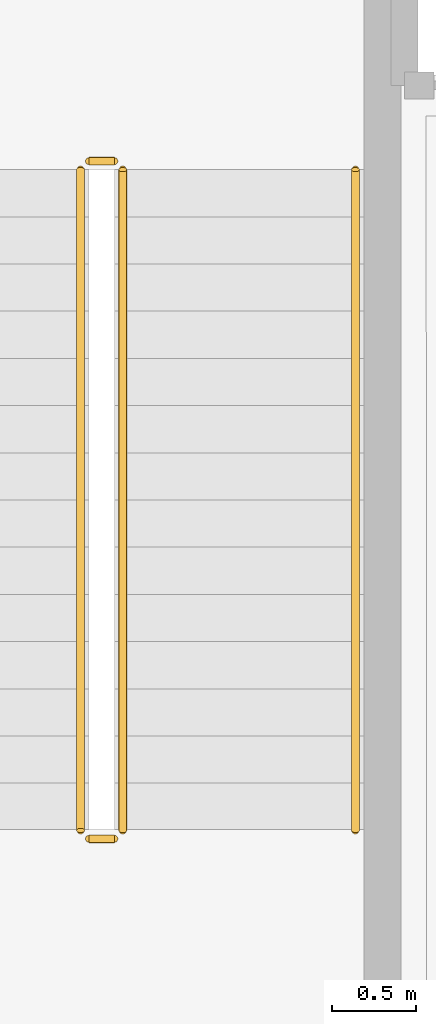
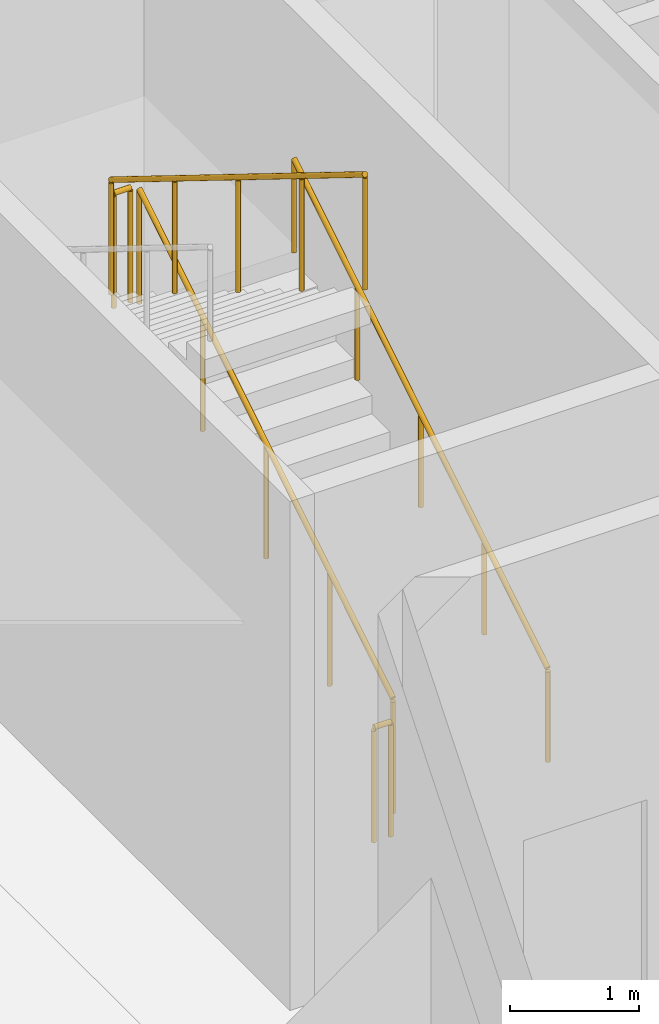
# One storey, part 37 of 39: 5 railings.
"""IFC4 building model written with IfcOpenShell, lengths in metres."""

from ifc_helpers import new_model, si_unit, direction, frame, origin, origin_2d, place, context, subcontext, project, spatial, circle, extrude, material, type_object, element, save


model = new_model("IFC4")

# Units and contexts
model_context = context("Model", 3, precision=1e-05, world=origin(), true_north=direction((0.0, 1.0)))
body_context = subcontext(model_context, "Body", "Model", "MODEL_VIEW")
ifc_project = project(units=[si_unit("LENGTHUNIT", "METRE"), si_unit("AREAUNIT", "SQUARE_METRE"), si_unit("VOLUMEUNIT", "CUBIC_METRE"), si_unit("PLANEANGLEUNIT", "RADIAN"), si_unit("MASSUNIT", "GRAM", prefix="KILO")], contexts=[model_context])

# Site, building, storey
site_placement = place(None, origin())
site = spatial("IfcSite", under=ifc_project, at=site_placement, CompositionType="ELEMENT")
building_placement = place(site_placement, origin())
building = spatial("IfcBuilding", under=site, at=building_placement, Name="Valdorenza Pilgrim Sanctuary Tower", CompositionType="ELEMENT")
storey_placement = place(building_placement, frame((0.0, 0.0, 15.60009765625)))
storey = spatial("IfcBuildingStorey", under=building, at=storey_placement, Name="L03", CompositionType="ELEMENT", Elevation=15.60009765625)

# Railings
ifc_material_1 = material(Name="Stainless steel Grade 316", Category="steel")
railing_type_1 = type_object("IfcRailingType", Name="RLG-GRD-1120", PredefinedType="GUARDRAIL", material=ifc_material_1)
railing_1_placement = place(storey_placement, frame((18.679931640625, 2.3798828125, 0.17333984375)))
element("IfcRailing", 1, at=railing_1_placement, inside=storey, type_object=railing_type_1, Name="L03 ST-B1 stair guard 1", PredefinedType="GUARDRAIL", context=body_context, shape_type="SweptSolid", body=[
    extrude(circle(Radius=0.02392578125, at=origin_2d()), frame((0.0, 0.0, 1.076171875), z_axis=(0.0, 0.850289973577, 0.526314507528), x_axis=(-1.0, 0.0, 0.0)), (0.0, 0.0, 1.0), 4.6103515625),
    extrude(circle(Radius=0.02099609375, at=origin_2d()), origin(), (0.0, 0.0, 1.0), 1.052001953125),
    extrude(circle(Radius=0.02099609375, at=origin_2d()), frame((0.0, 0.97998046875, 0.606689453125)), (0.0, 0.0, 1.0), 1.052001953125),
    extrude(circle(Radius=0.02099609375, at=origin_2d()), frame((0.0, 1.9599609375, 1.21337890625)), (0.0, 0.0, 1.0), 1.052001953125),
    extrude(circle(Radius=0.02099609375, at=origin_2d()), frame((0.0, 2.940185546875, 1.81982421875)), (0.0, 0.0, 1.0), 1.052001953125),
    extrude(circle(Radius=0.02099609375, at=origin_2d()), frame((0.0, 3.920166015625, 2.426513671875)), (0.0, 0.0, 1.0), 1.052001953125),
])
railing_2_placement = place(storey_placement, frame((18.6298828125, 6.35009765625, 2.599853515625)))
element("IfcRailing", 2, at=railing_2_placement, inside=storey, type_object=railing_type_1, Name="L03 ST-B1 stair guard 2", PredefinedType="GUARDRAIL", context=body_context, shape_type="SweptSolid", body=[
    extrude(circle(Radius=0.02392578125, at=origin_2d()), frame((0.0, 0.0, 1.076171875), z_axis=(-1.0, 0.0, 0.0), x_axis=(0.0, -1.0, 0.0)), (0.0, 0.0, 1.0), 0.14990234375),
    extrude(circle(Radius=0.02099609375, at=origin_2d()), origin(), (0.0, 0.0, 1.0), 1.052001953125),
    extrude(circle(Radius=0.02099609375, at=origin_2d()), frame((-0.14990234375, 0.0, 0.0)), (0.0, 0.0, 1.0), 1.052001953125),
])
railing_3_placement = place(storey_placement, frame((18.429931640625, 6.300048828125, 2.773193359375)))
element("IfcRailing", 3, at=railing_3_placement, inside=storey, type_object=railing_type_1, Name="L03 ST-B1 stair guard 3", PredefinedType="GUARDRAIL", context=body_context, shape_type="SweptSolid", body=[
    extrude(circle(Radius=0.02392578125, at=origin_2d()), frame((0.0, 0.0, 1.076171875), z_axis=(0.0, -0.850266275192, 0.526352791643), x_axis=(1.0, 0.0, 0.0)), (0.0, 0.0, 1.0), 4.610595703125),
    extrude(circle(Radius=0.02099609375, at=origin_2d()), origin(), (0.0, 0.0, 1.0), 1.052001953125),
    extrude(circle(Radius=0.02099609375, at=origin_2d()), frame((0.0, -0.97998046875, 0.606689453125)), (0.0, 0.0, 1.0), 1.052001953125),
    extrude(circle(Radius=0.02099609375, at=origin_2d()), frame((0.0, -1.9599609375, 1.21337890625)), (0.0, 0.0, 1.0), 1.052001953125),
    extrude(circle(Radius=0.02099609375, at=origin_2d()), frame((0.0, -2.940185546875, 1.820068359375)), (0.0, 0.0, 1.0), 1.052001953125),
    extrude(circle(Radius=0.02099609375, at=origin_2d()), frame((0.0, -3.920166015625, 2.4267578125)), (0.0, 0.0, 1.0), 1.052001953125),
])
railing_4_placement = place(storey_placement, frame((18.6298828125, 2.330078125, 0.0)))
element("IfcRailing", 4, at=railing_4_placement, inside=storey, type_object=railing_type_1, Name="L03 ST-B1 stair guard 4", PredefinedType="GUARDRAIL", context=body_context, shape_type="SweptSolid", body=[
    extrude(circle(Radius=0.02392578125, at=origin_2d()), frame((0.0, 0.0, 1.076171875), z_axis=(-1.0, 0.0, 0.0), x_axis=(0.0, -1.0, 0.0)), (0.0, 0.0, 1.0), 0.14990234375),
    extrude(circle(Radius=0.02099609375, at=origin_2d()), origin(), (0.0, 0.0, 1.0), 1.052001953125),
    extrude(circle(Radius=0.02099609375, at=origin_2d()), frame((-0.14990234375, 0.0, 0.0)), (0.0, 0.0, 1.0), 1.052001953125),
])
ifc_material_2 = material(Name="Brushed stainless steel Grade 316", Category="steel")
railing_type_2 = type_object("IfcRailingType", Name="RLG-HND-920", PredefinedType="HANDRAIL", material=ifc_material_2)
railing_5_placement = place(storey_placement, frame((20.06005859375, 2.3798828125, 0.17333984375)))
element("IfcRailing", 5, at=railing_5_placement, inside=storey, type_object=railing_type_2, Name="L03 ST-B1 stair handrail 1", PredefinedType="HANDRAIL", context=body_context, shape_type="SweptSolid", body=[
    extrude(circle(Radius=0.02392578125, at=origin_2d()), frame((0.0, 0.0, 0.8759765625), z_axis=(0.0, 0.850289973577, 0.526314507528), x_axis=(-1.0, 0.0, 0.0)), (0.0, 0.0, 1.0), 4.6103515625),
    extrude(circle(Radius=0.02099609375, at=origin_2d()), origin(), (0.0, 0.0, 1.0), 0.851806640625),
    extrude(circle(Radius=0.02099609375, at=origin_2d()), frame((0.0, 0.97998046875, 0.606689453125)), (0.0, 0.0, 1.0), 0.851806640625),
    extrude(circle(Radius=0.02099609375, at=origin_2d()), frame((0.0, 1.9599609375, 1.21337890625)), (0.0, 0.0, 1.0), 0.851806640625),
    extrude(circle(Radius=0.02099609375, at=origin_2d()), frame((0.0, 2.940185546875, 1.81982421875)), (0.0, 0.0, 1.0), 0.851806640625),
    extrude(circle(Radius=0.02099609375, at=origin_2d()), frame((0.0, 3.920166015625, 2.426513671875)), (0.0, 0.0, 1.0), 0.851806640625),
])

save(model, "model.ifc")
